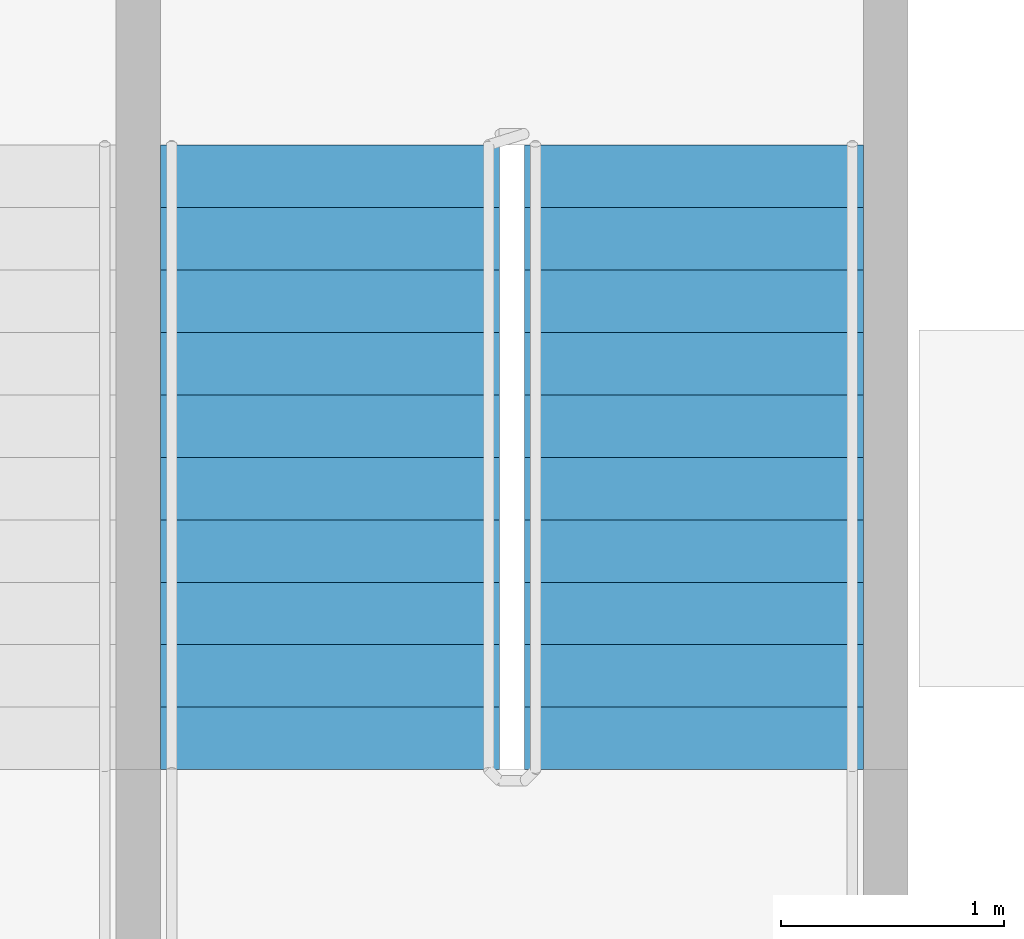
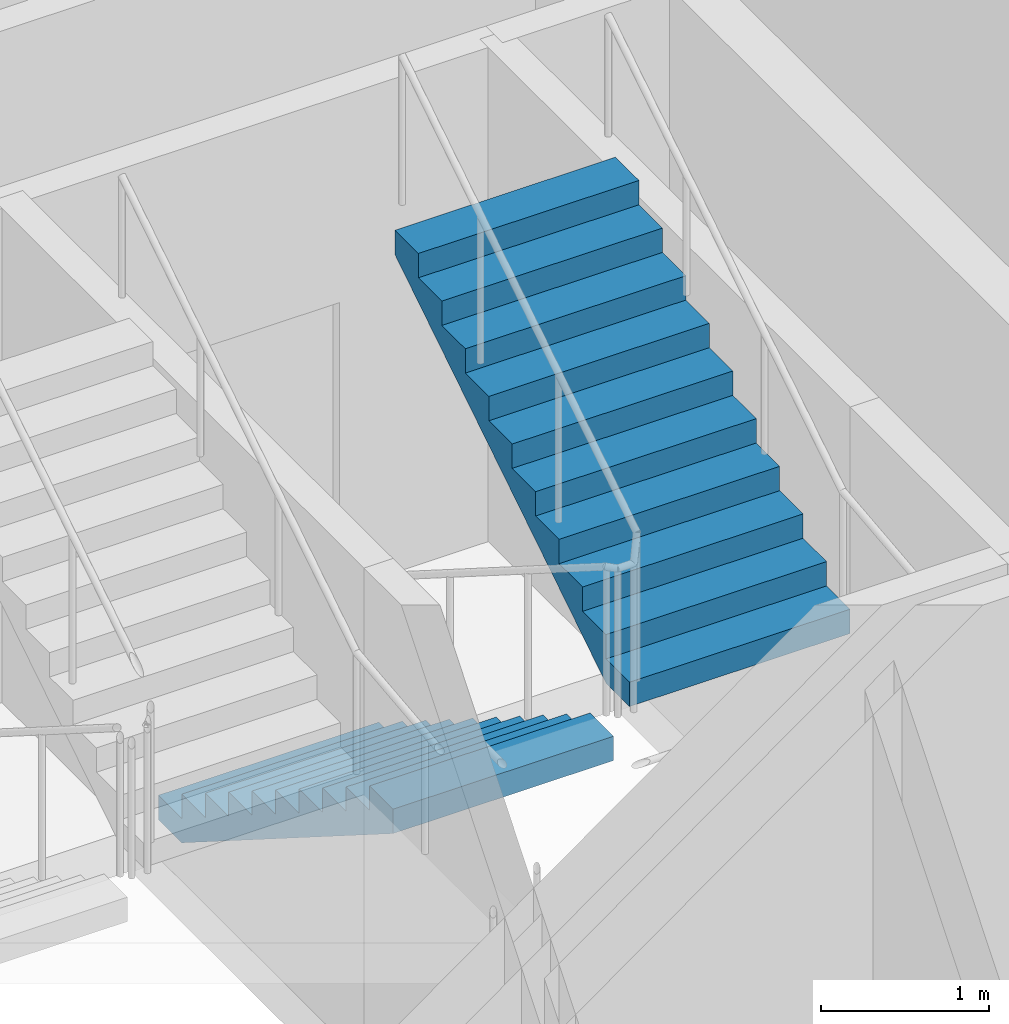
# One storey, part 8 of 9: 2 stair flights, 1 element without a shape of its own.
"""IFC4 building model written with IfcOpenShell, lengths in metres."""

from ifc_helpers import new_model, si_unit, direction, frame, origin, place, context, subcontext, project, spatial, polyline, outline, extrude, material, type_object, element, aggregate, save


model = new_model("IFC4")

# Units and contexts
model_context = context("Model", 3, precision=1e-05, world=origin(), true_north=direction((0.0, 1.0)))
body_context = subcontext(model_context, "Body", "Model", "MODEL_VIEW")
ifc_project = project(units=[si_unit("LENGTHUNIT", "METRE"), si_unit("AREAUNIT", "SQUARE_METRE"), si_unit("VOLUMEUNIT", "CUBIC_METRE"), si_unit("PLANEANGLEUNIT", "RADIAN"), si_unit("MASSUNIT", "GRAM", prefix="KILO")], contexts=[model_context])

# Site, building, storey
site_placement = place(None, origin())
site = spatial("IfcSite", under=ifc_project, at=site_placement, CompositionType="ELEMENT")
building_placement = place(site_placement, origin())
building = spatial("IfcBuilding", under=site, at=building_placement, Name="Tessera Arch", CompositionType="ELEMENT")
storey_placement = place(building_placement, frame((0.0, 0.0, 305.10009765625)))
storey = spatial("IfcBuildingStorey", under=building, at=storey_placement, Name="L73", CompositionType="ELEMENT", Elevation=305.10009765625)

# Stair, stair flights
ifc_material_1 = material(Name="Concrete C40/50", Category="concrete")
stair_type = type_object("IfcStairType", Name="Dogleg stair 1520", PredefinedType="HALF_TURN_STAIR", material=ifc_material_1)
stair_placement = place(storey_placement, origin())
stair = element("IfcStair", 1, at=stair_placement, inside=storey, type_object=stair_type, Name="L73 S1c", PredefinedType="HALF_TURN_STAIR")
ifc_material_2 = material(Name="Concrete C40/50", Category="concrete")
stair_flight_type = type_object("IfcStairFlightType", Name="Stair flight 1520", PredefinedType="STRAIGHT", material=ifc_material_2)
stair_flight_1_placement = place(storey_placement, frame((44.159912109375, 43.580078125, 0.0), z_axis=(0.0, 0.0, 1.0), x_axis=(0.0, -1.0, 0.0)))
stair_flight_1 = element("IfcStairFlight", 2, at=stair_flight_1_placement, type_object=stair_flight_type, Name="S1c flight 1", NumberOfRisers=11, NumberOfTreads=10, PredefinedType="STRAIGHT", RiserHeight=0.177272727, TreadLength=0.28, context=body_context, shape_type="SweptSolid", body=[
    extrude(outline(polyline([(0.0, 0.0), (0.0, 0.17724609375), (0.280029296875, 0.17724609375), (0.280029296875, 0.3544921875), (0.56005859375, 0.3544921875), (0.56005859375, 0.53173828125), (0.840087890625, 0.53173828125), (0.840087890625, 0.708984375), (1.1201171875, 0.708984375), (1.1201171875, 0.886474609375), (1.39990234375, 0.886474609375), (1.39990234375, 1.063720703125), (1.679931640625, 1.063720703125), (1.679931640625, 1.240966796875), (1.9599609375, 1.240966796875), (1.9599609375, 1.418212890625), (2.239990234375, 1.418212890625), (2.239990234375, 1.595458984375), (2.52001953125, 1.595458984375), (2.52001953125, 1.772705078125), (2.800048828125, 1.772705078125), (2.800048828125, 1.949951171875), (2.800048828125, 1.59521484375), (0.2802734375, 0.0), (0.0, 0.0)])), frame((0.0, 0.760009765625, 0.0), z_axis=(0.0, -1.0, 0.0), x_axis=(1.0, 0.0, 0.0)), (0.0, 0.0, 1.0), 1.52001953125),
])
stair_flight_2_placement = place(storey_placement, frame((45.7900390625, 40.780029296875, 1.949951171875), z_axis=(0.0, 0.0, 1.0), x_axis=(0.0, 1.0, 0.0)))
stair_flight_2 = element("IfcStairFlight", 3, at=stair_flight_2_placement, type_object=stair_flight_type, Name="S1c flight 2", NumberOfRisers=11, NumberOfTreads=10, PredefinedType="STRAIGHT", RiserHeight=0.177272727, TreadLength=0.28, context=body_context, shape_type="SweptSolid", body=[
    extrude(outline(polyline([(0.0, 0.0), (0.0, 0.17724609375), (0.280029296875, 0.17724609375), (0.280029296875, 0.3544921875), (0.56005859375, 0.3544921875), (0.56005859375, 0.53173828125), (0.840087890625, 0.53173828125), (0.840087890625, 0.708984375), (1.1201171875, 0.708984375), (1.1201171875, 0.886474609375), (1.39990234375, 0.886474609375), (1.39990234375, 1.063720703125), (1.679931640625, 1.063720703125), (1.679931640625, 1.240966796875), (1.9599609375, 1.240966796875), (1.9599609375, 1.418212890625), (2.239990234375, 1.418212890625), (2.239990234375, 1.595458984375), (2.52001953125, 1.595458984375), (2.52001953125, 1.772705078125), (2.800048828125, 1.772705078125), (2.800048828125, 1.949951171875), (2.800048828125, 1.59521484375), (0.2802734375, 0.0), (0.0, 0.0)])), frame((0.0, 0.760009765625, 0.0), z_axis=(0.0, -1.0, 0.0), x_axis=(1.0, 0.0, 0.0)), (0.0, 0.0, 1.0), 1.52001953125),
])
aggregate(stair, [stair_flight_1, stair_flight_2])

save(model, "model.ifc")
